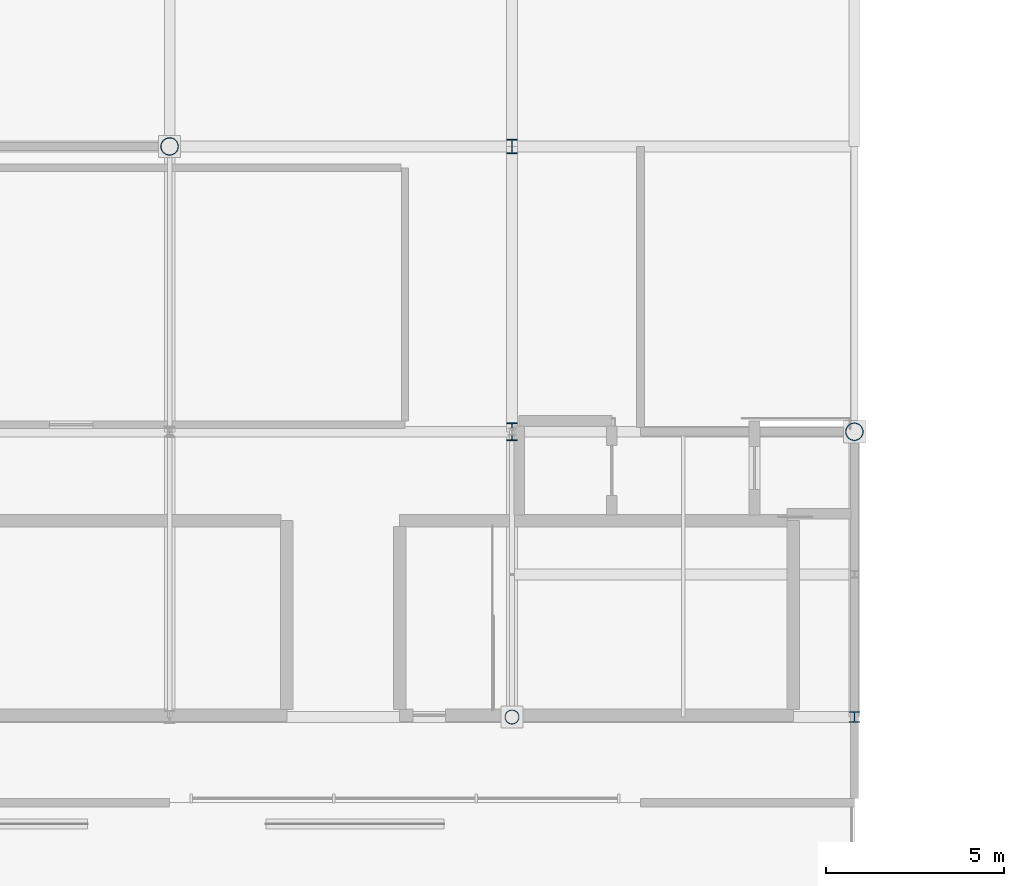
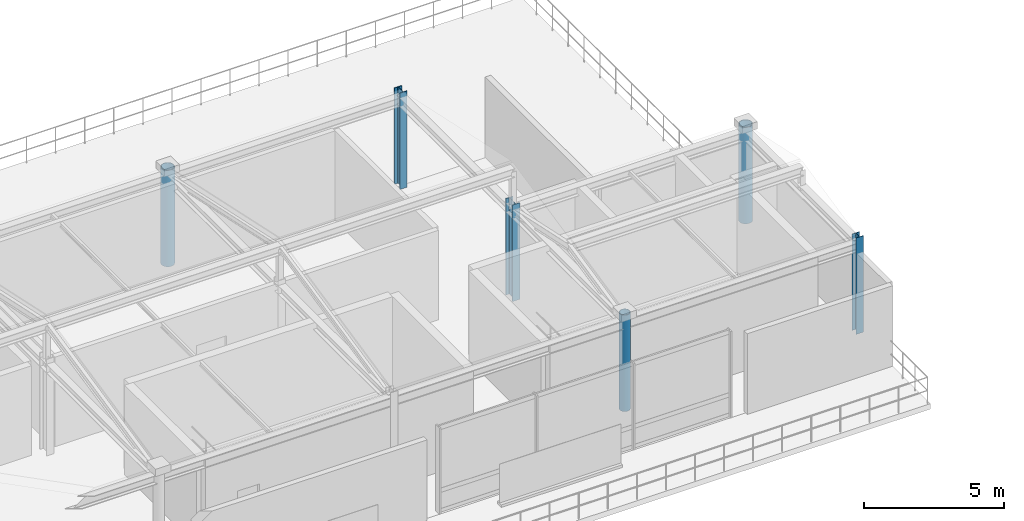
# One storey, part 3 of 26: 6 columns.
"""IFC4 building model written with IfcOpenShell, lengths in metres."""

from ifc_helpers import new_model, si_unit, direction, frame, origin, origin_2d, place, context, subcontext, project, spatial, hollow_circle, i_section, extrude, material, material_profile, profile_set, type_object, element, save


model = new_model("IFC4")

# Units and contexts
model_context = context("Model", 3, precision=1e-05, world=origin(), true_north=direction((0.0, 1.0)))
body_context = subcontext(model_context, "Body", "Model", "MODEL_VIEW")
ifc_project = project(units=[si_unit("LENGTHUNIT", "METRE"), si_unit("AREAUNIT", "SQUARE_METRE"), si_unit("VOLUMEUNIT", "CUBIC_METRE"), si_unit("PLANEANGLEUNIT", "RADIAN"), si_unit("MASSUNIT", "GRAM", prefix="KILO")], contexts=[model_context])

# Site, building, storey
site_placement = place(None, origin())
site = spatial("IfcSite", under=ifc_project, at=site_placement, CompositionType="ELEMENT")
building_placement = place(site_placement, origin())
building = spatial("IfcBuilding", under=site, at=building_placement, Name="Danafjord Basin Convention Centre", CompositionType="ELEMENT")
storey_placement = place(building_placement, frame((0.0, 0.0, 29.39990234375)))
storey = spatial("IfcBuildingStorey", under=building, at=storey_placement, Name="RF", CompositionType="ELEMENT", Elevation=29.39990234375)

# Columns
ifc_material = material(Name="Steel S355", Category="steel")
ifc_material_profile_1 = material_profile(ifc_material, hollow_circle(Radius=0.203125, WallThickness=0.02001953125, at=origin_2d()), Name="CHS 406.4x20.0")
ifc_profile_set_1 = profile_set([ifc_material_profile_1], Name="Steel S355")
column_type_1 = type_object("IfcColumnType", Name="COL-C-CHS406", PredefinedType="COLUMN", material=ifc_profile_set_1)
column_1_placement = place(storey_placement, frame((86.39990234375, 16.0, 0.0), z_axis=(0.0, 0.0, 1.0), x_axis=(1.0, 0.0, 0.0)))
element("IfcColumn", 1, at=column_1_placement, inside=storey, type_object=column_type_1, Name="RF column C-CHS406 at (86.4, 16.0)", PredefinedType="COLUMN", context=body_context, shape_type="SweptSolid", body=[
    extrude(hollow_circle(Radius=0.203125, WallThickness=0.02001953125, at=origin_2d()), origin(), (0.0, 0.0, 1.0), 4.2001953125),
])
ifc_material_profile_2 = material_profile(ifc_material, hollow_circle(Radius=0.25390625, WallThickness=0.02490234375, at=origin_2d()), Name="CHS 508.0x25.0")
ifc_profile_set_2 = profile_set([ifc_material_profile_2], Name="Steel S355")
column_type_2 = type_object("IfcColumnType", Name="COL-C-CHS508", PredefinedType="COLUMN", material=ifc_profile_set_2)
for number, where, z_axis, x_axis, name in (
    (2, (76.800048828125, 32.0, 0.0), (0.0, 0.0, 1.0), (1.0, 0.0, 0.0), "RF column C-CHS508 at (76.8, 32.0)"),
    (3, (96.0, 24.0, 0.0), (0.0, 0.0, 1.0), (1.0, 0.0, 0.0), "RF column C-CHS508 at (96.0, 24.0)"),
):
    element("IfcColumn", number, at=place(storey_placement, frame(where, z_axis=z_axis, x_axis=x_axis)), inside=storey, type_object=column_type_2, Name=name, PredefinedType="COLUMN", context=body_context, shape_type="SweptSolid", body=[
        extrude(hollow_circle(Radius=0.25390625, WallThickness=0.02490234375, at=origin_2d()), origin(), (0.0, 0.0, 1.0), 4.2001953125),
    ])
ifc_material_profile_3 = material_profile(ifc_material, i_section(OverallWidth=0.300048828125, OverallDepth=0.300048828125, WebThickness=0.010986328125, FlangeThickness=0.01904296875, FilletRadius=0.027099609375, at=origin_2d()), Name="HEB 300")
ifc_profile_set_3 = profile_set([ifc_material_profile_3], Name="Steel S355")
column_type_3 = type_object("IfcColumnType", Name="COL-C-HEB300", PredefinedType="COLUMN", material=ifc_profile_set_3)
column_2_placement = place(storey_placement, frame((96.0, 16.0, 0.0), z_axis=(0.0, 0.0, 1.0), x_axis=(1.0, 0.0, 0.0)))
element("IfcColumn", 4, at=column_2_placement, inside=storey, type_object=column_type_3, Name="RF column C-HEB300 at (96.0, 16.0)", PredefinedType="COLUMN", context=body_context, shape_type="SweptSolid", body=[
    extrude(i_section(OverallWidth=0.300048828125, OverallDepth=0.300048828125, WebThickness=0.010986328125, FlangeThickness=0.01904296875, FilletRadius=0.027099609375, at=origin_2d()), origin(), (0.0, 0.0, 1.0), 4.2001953125),
])
ifc_material_profile_4 = material_profile(ifc_material, i_section(OverallWidth=0.300048828125, OverallDepth=0.39990234375, WebThickness=0.013427734375, FlangeThickness=0.02392578125, FilletRadius=0.027099609375, at=origin_2d()), Name="HEB 400")
ifc_profile_set_4 = profile_set([ifc_material_profile_4], Name="Steel S355")
column_type_4 = type_object("IfcColumnType", Name="COL-C-HEB400", PredefinedType="COLUMN", material=ifc_profile_set_4)
column_3_placement = place(storey_placement, frame((86.39990234375, 32.0, 0.0), z_axis=(0.0, 0.0, 1.0), x_axis=(1.0, 0.0, 0.0)))
element("IfcColumn", 5, at=column_3_placement, inside=storey, type_object=column_type_4, Name="RF column C-HEB400 at (86.4, 32.0)", PredefinedType="COLUMN", context=body_context, shape_type="SweptSolid", body=[
    extrude(i_section(OverallWidth=0.300048828125, OverallDepth=0.39990234375, WebThickness=0.013427734375, FlangeThickness=0.02392578125, FilletRadius=0.027099609375, at=origin_2d()), origin(), (0.0, 0.0, 1.0), 4.2001953125),
])
ifc_material_profile_5 = material_profile(ifc_material, i_section(OverallWidth=0.300048828125, OverallDepth=0.5, WebThickness=0.014404296875, FlangeThickness=0.028076171875, FilletRadius=0.027099609375, at=origin_2d()), Name="HEB 500")
ifc_profile_set_5 = profile_set([ifc_material_profile_5], Name="Steel S355")
column_type_5 = type_object("IfcColumnType", Name="COL-C-HEB500", PredefinedType="COLUMN", material=ifc_profile_set_5)
column_4_placement = place(storey_placement, frame((86.39990234375, 24.0, 0.0), z_axis=(0.0, 0.0, 1.0), x_axis=(1.0, 0.0, 0.0)))
element("IfcColumn", 6, at=column_4_placement, inside=storey, type_object=column_type_5, Name="RF column C-HEB500 at (86.4, 24.0)", PredefinedType="COLUMN", context=body_context, shape_type="SweptSolid", body=[
    extrude(i_section(OverallWidth=0.300048828125, OverallDepth=0.5, WebThickness=0.014404296875, FlangeThickness=0.028076171875, FilletRadius=0.027099609375, at=origin_2d()), origin(), (0.0, 0.0, 1.0), 4.2001953125),
])

save(model, "model.ifc")
